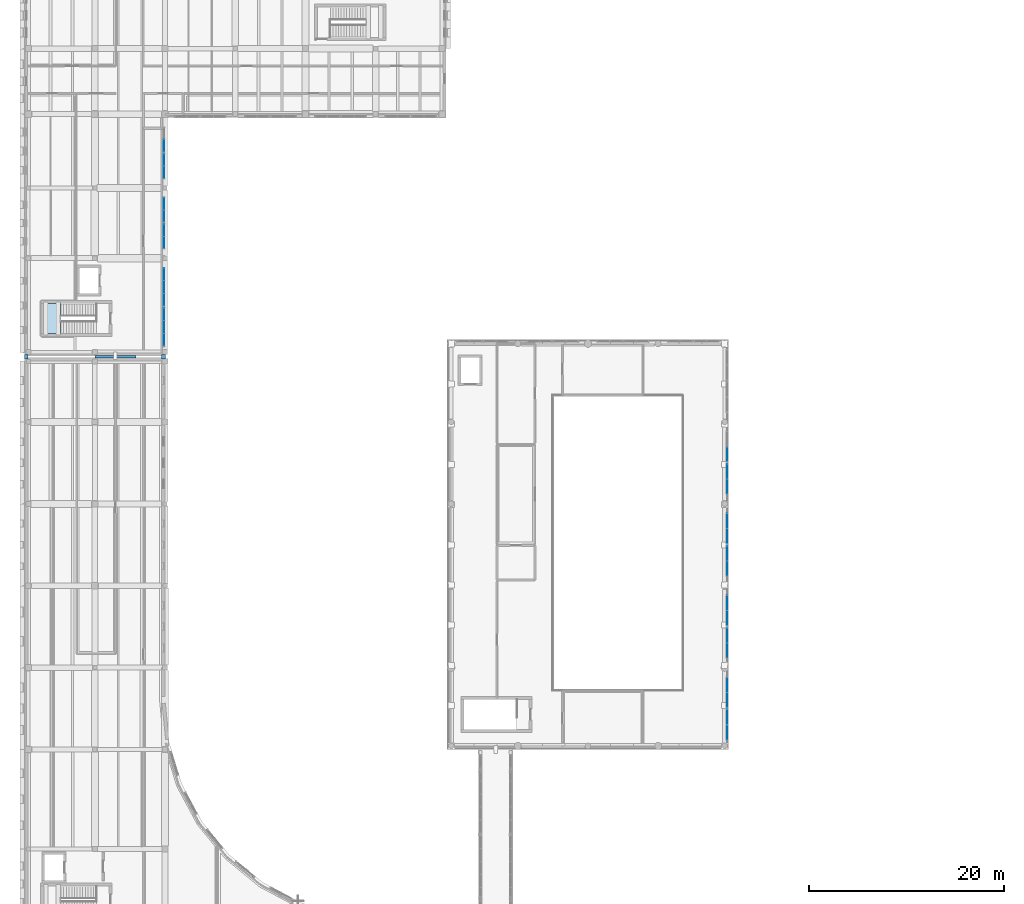
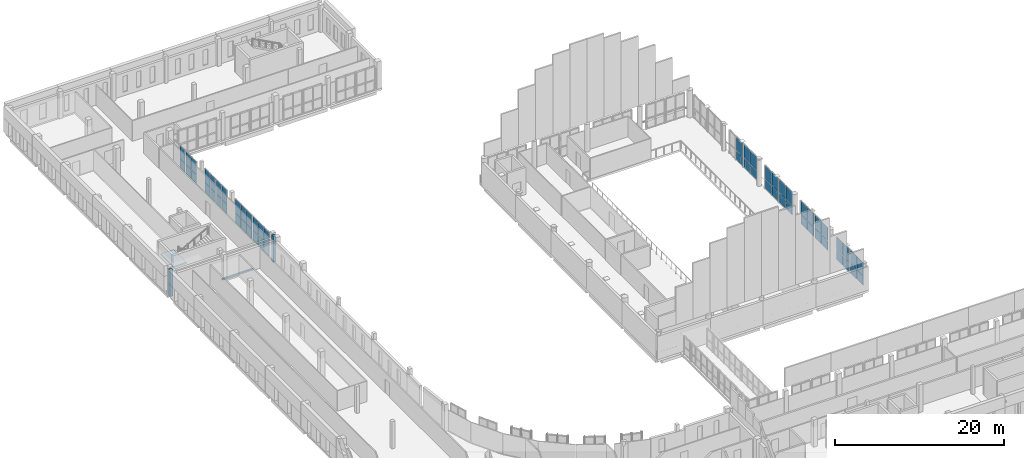
# One storey, part 41 of 76: 58 plates, 2 slabs, 15 elements without a shape of their own.
"""IFC4 building model written with IfcOpenShell, lengths in metres."""

from ifc_helpers import new_model, si_unit, direction, frame, origin, origin_2d, place, context, subcontext, project, spatial, polyline, rectangle, outline, extrude, material, layer, layer_set, type_object, element, aggregate, save


model = new_model("IFC4")

# Units and contexts
model_context = context("Model", 3, precision=1e-05, world=origin(), true_north=direction((0.0, 1.0)))
body_context = subcontext(model_context, "Body", "Model", "MODEL_VIEW")
ifc_project = project(units=[si_unit("LENGTHUNIT", "METRE"), si_unit("AREAUNIT", "SQUARE_METRE"), si_unit("VOLUMEUNIT", "CUBIC_METRE"), si_unit("PLANEANGLEUNIT", "RADIAN"), si_unit("MASSUNIT", "GRAM", prefix="KILO")], contexts=[model_context])

# Site, building, storey
site_placement = place(None, origin())
site = spatial("IfcSite", under=ifc_project, at=site_placement, CompositionType="ELEMENT")
building_placement = place(site_placement, origin())
building = spatial("IfcBuilding", under=site, at=building_placement, Name="Vardoun Plaza Health Centre", CompositionType="ELEMENT")
storey_placement = place(building_placement, frame((0.0, 0.0, 4.5)))
storey = spatial("IfcBuildingStorey", under=building, at=storey_placement, Name="L01", CompositionType="ELEMENT", Elevation=4.5)

# Curtain wall, plates
ifc_material_1 = material(Name="Aluminium Alloy EN AW-6063-T6 and Low-E Glass", Category="aluminium")
ifc_layer_1 = layer(ifc_material_1, 0.159912109375)
ifc_layer_set_1 = layer_set([ifc_layer_1], Name="Aluminium Alloy EN AW-6063-T6 and Low-E Glass")
curtain_wall_type_1 = type_object("IfcCurtainWallType", Name="CW-02", PredefinedType="USERDEFINED", material=ifc_layer_set_1)
curtain_wall_1_placement = place(storey_placement, origin())
curtain_wall_1 = element("IfcCurtainWall", 1, at=curtain_wall_1_placement, inside=storey, type_object=curtain_wall_type_1, Name="Curtain Wall CW-V3-067", ObjectType="COURTYARD_CURTAIN_WALL", PredefinedType="USERDEFINED")
ifc_material_2 = material(Name="Solar-Control Double Low-E Glazing", Category="glass")
ifc_layer_2 = layer(ifc_material_2, 0.028076171875)
ifc_layer_set_2 = layer_set([ifc_layer_2], Name="Solar-Control Double Low-E Glazing")
plate_type_1 = type_object("IfcPlateType", Name="CW-P1", PredefinedType="CURTAIN_PANEL", material=ifc_layer_set_2)
plate_1_placement = place(storey_placement, frame((18.780029296875, 98.235107421875, 0.06005859375), z_axis=(0.0, 0.0, 1.0), x_axis=(0.0, -1.0, 0.0)))
plate_1 = element("IfcPlate", 2, at=plate_1_placement, type_object=plate_type_1, Name="CW-V3-067 panel 2.1", PredefinedType="CURTAIN_PANEL", context=body_context, shape_type="SweptSolid", body=[
    extrude(rectangle(XDim=1.18994140625, YDim=0.028076171875, at=origin_2d()), origin(), (0.0, 0.0, 1.0), 1.283447265625),
])
plate_2_placement = place(storey_placement, frame((18.780029296875, 98.235107421875, 1.4033203125), z_axis=(0.0, 0.0, 1.0), x_axis=(0.0, -1.0, 0.0)))
plate_2 = element("IfcPlate", 3, at=plate_2_placement, type_object=plate_type_1, Name="CW-V3-067 panel 2.2", PredefinedType="CURTAIN_PANEL", context=body_context, shape_type="SweptSolid", body=[
    extrude(rectangle(XDim=1.18994140625, YDim=0.028076171875, at=origin_2d()), origin(), (0.0, 0.0, 1.0), 1.806640625),
])
aggregate(curtain_wall_1, [plate_1, plate_2])

curtain_wall_2_placement = place(storey_placement, origin())
curtain_wall_2 = element("IfcCurtainWall", 4, at=curtain_wall_2_placement, inside=storey, type_object=curtain_wall_type_1, Name="Curtain Wall CW-V3-068", ObjectType="COURTYARD_CURTAIN_WALL", PredefinedType="USERDEFINED")
plate_3_placement = place(storey_placement, frame((18.780029296875, 96.764892578125, 0.06005859375), z_axis=(0.0, 0.0, 1.0), x_axis=(0.0, -1.0, 0.0)))
plate_3 = element("IfcPlate", 5, at=plate_3_placement, type_object=plate_type_1, Name="CW-V3-068 panel 1.1", PredefinedType="CURTAIN_PANEL", context=body_context, shape_type="SweptSolid", body=[
    extrude(rectangle(XDim=1.18994140625, YDim=0.028076171875, at=origin_2d()), origin(), (0.0, 0.0, 1.0), 1.283447265625),
])
plate_4_placement = place(storey_placement, frame((18.780029296875, 96.764892578125, 1.4033203125), z_axis=(0.0, 0.0, 1.0), x_axis=(0.0, -1.0, 0.0)))
plate_4 = element("IfcPlate", 6, at=plate_4_placement, type_object=plate_type_1, Name="CW-V3-068 panel 1.2", PredefinedType="CURTAIN_PANEL", context=body_context, shape_type="SweptSolid", body=[
    extrude(rectangle(XDim=1.18994140625, YDim=0.028076171875, at=origin_2d()), origin(), (0.0, 0.0, 1.0), 1.806640625),
])
plate_5_placement = place(storey_placement, frame((18.780029296875, 95.514892578125, 0.06005859375), z_axis=(0.0, 0.0, 1.0), x_axis=(0.0, -1.0, 0.0)))
plate_5 = element("IfcPlate", 7, at=plate_5_placement, type_object=plate_type_1, Name="CW-V3-068 panel 2.1", PredefinedType="CURTAIN_PANEL", context=body_context, shape_type="SweptSolid", body=[
    extrude(rectangle(XDim=1.18994140625, YDim=0.028076171875, at=origin_2d()), origin(), (0.0, 0.0, 1.0), 1.283447265625),
])
plate_6_placement = place(storey_placement, frame((18.780029296875, 95.514892578125, 1.4033203125), z_axis=(0.0, 0.0, 1.0), x_axis=(0.0, -1.0, 0.0)))
plate_6 = element("IfcPlate", 8, at=plate_6_placement, type_object=plate_type_1, Name="CW-V3-068 panel 2.2", PredefinedType="CURTAIN_PANEL", context=body_context, shape_type="SweptSolid", body=[
    extrude(rectangle(XDim=1.18994140625, YDim=0.028076171875, at=origin_2d()), origin(), (0.0, 0.0, 1.0), 1.806640625),
])
aggregate(curtain_wall_2, [plate_3, plate_4, plate_5, plate_6])

curtain_wall_3_placement = place(storey_placement, origin())
curtain_wall_3 = element("IfcCurtainWall", 9, at=curtain_wall_3_placement, inside=storey, type_object=curtain_wall_type_1, Name="Curtain Wall CW-V3-069", ObjectType="COURTYARD_CURTAIN_WALL", PredefinedType="USERDEFINED")
plate_7_placement = place(storey_placement, frame((18.780029296875, 92.284912109375, 0.06005859375), z_axis=(0.0, 0.0, 1.0), x_axis=(0.0, -1.0, 0.0)))
plate_7 = element("IfcPlate", 10, at=plate_7_placement, type_object=plate_type_1, Name="CW-V3-069 panel 1.1", PredefinedType="CURTAIN_PANEL", context=body_context, shape_type="SweptSolid", body=[
    extrude(rectangle(XDim=1.18994140625, YDim=0.028076171875, at=origin_2d()), origin(), (0.0, 0.0, 1.0), 1.396728515625),
])
plate_8_placement = place(storey_placement, frame((18.780029296875, 92.284912109375, 1.5166015625), z_axis=(0.0, 0.0, 1.0), x_axis=(0.0, -1.0, 0.0)))
plate_8 = element("IfcPlate", 11, at=plate_8_placement, type_object=plate_type_1, Name="CW-V3-069 panel 1.2", PredefinedType="CURTAIN_PANEL", context=body_context, shape_type="SweptSolid", body=[
    extrude(rectangle(XDim=1.18994140625, YDim=0.028076171875, at=origin_2d()), origin(), (0.0, 0.0, 1.0), 1.963134765625),
])
plate_9_placement = place(storey_placement, frame((18.780029296875, 91.034912109375, 0.06005859375), z_axis=(0.0, 0.0, 1.0), x_axis=(0.0, -1.0, 0.0)))
plate_9 = element("IfcPlate", 12, at=plate_9_placement, type_object=plate_type_1, Name="CW-V3-069 panel 2.1", PredefinedType="CURTAIN_PANEL", context=body_context, shape_type="SweptSolid", body=[
    extrude(rectangle(XDim=1.18994140625, YDim=0.028076171875, at=origin_2d()), origin(), (0.0, 0.0, 1.0), 1.396728515625),
])
plate_10_placement = place(storey_placement, frame((18.780029296875, 91.034912109375, 1.5166015625), z_axis=(0.0, 0.0, 1.0), x_axis=(0.0, -1.0, 0.0)))
plate_10 = element("IfcPlate", 13, at=plate_10_placement, type_object=plate_type_1, Name="CW-V3-069 panel 2.2", PredefinedType="CURTAIN_PANEL", context=body_context, shape_type="SweptSolid", body=[
    extrude(rectangle(XDim=1.18994140625, YDim=0.028076171875, at=origin_2d()), origin(), (0.0, 0.0, 1.0), 1.963134765625),
])
aggregate(curtain_wall_3, [plate_7, plate_8, plate_9, plate_10])

curtain_wall_4_placement = place(storey_placement, origin())
curtain_wall_4 = element("IfcCurtainWall", 14, at=curtain_wall_4_placement, inside=storey, type_object=curtain_wall_type_1, Name="Curtain Wall CW-V3-070", ObjectType="COURTYARD_CURTAIN_WALL", PredefinedType="USERDEFINED")
plate_11_placement = place(storey_placement, frame((18.780029296875, 89.56494140625, 0.06005859375), z_axis=(0.0, 0.0, 1.0), x_axis=(0.0, -1.0, 0.0)))
plate_11 = element("IfcPlate", 15, at=plate_11_placement, type_object=plate_type_1, Name="CW-V3-070 panel 1.1", PredefinedType="CURTAIN_PANEL", context=body_context, shape_type="SweptSolid", body=[
    extrude(rectangle(XDim=1.18994140625, YDim=0.028076171875, at=origin_2d()), origin(), (0.0, 0.0, 1.0), 1.396728515625),
])
plate_12_placement = place(storey_placement, frame((18.780029296875, 89.56494140625, 1.5166015625), z_axis=(0.0, 0.0, 1.0), x_axis=(0.0, -1.0, 0.0)))
plate_12 = element("IfcPlate", 16, at=plate_12_placement, type_object=plate_type_1, Name="CW-V3-070 panel 1.2", PredefinedType="CURTAIN_PANEL", context=body_context, shape_type="SweptSolid", body=[
    extrude(rectangle(XDim=1.18994140625, YDim=0.028076171875, at=origin_2d()), origin(), (0.0, 0.0, 1.0), 1.963134765625),
])
plate_13_placement = place(storey_placement, frame((18.780029296875, 88.31494140625, 0.06005859375), z_axis=(0.0, 0.0, 1.0), x_axis=(0.0, -1.0, 0.0)))
plate_13 = element("IfcPlate", 17, at=plate_13_placement, type_object=plate_type_1, Name="CW-V3-070 panel 2.1", PredefinedType="CURTAIN_PANEL", context=body_context, shape_type="SweptSolid", body=[
    extrude(rectangle(XDim=1.18994140625, YDim=0.028076171875, at=origin_2d()), origin(), (0.0, 0.0, 1.0), 1.396728515625),
])
plate_14_placement = place(storey_placement, frame((18.780029296875, 88.31494140625, 1.5166015625), z_axis=(0.0, 0.0, 1.0), x_axis=(0.0, -1.0, 0.0)))
plate_14 = element("IfcPlate", 18, at=plate_14_placement, type_object=plate_type_1, Name="CW-V3-070 panel 2.2", PredefinedType="CURTAIN_PANEL", context=body_context, shape_type="SweptSolid", body=[
    extrude(rectangle(XDim=1.18994140625, YDim=0.028076171875, at=origin_2d()), origin(), (0.0, 0.0, 1.0), 1.963134765625),
])
aggregate(curtain_wall_4, [plate_11, plate_12, plate_13, plate_14])

curtain_wall_5_placement = place(storey_placement, origin())
curtain_wall_5 = element("IfcCurtainWall", 19, at=curtain_wall_5_placement, inside=storey, type_object=curtain_wall_type_1, Name="Curtain Wall CW-V3-071", ObjectType="COURTYARD_CURTAIN_WALL", PredefinedType="USERDEFINED")
plate_15_placement = place(storey_placement, frame((18.780029296875, 85.063232421875, 0.06005859375), z_axis=(0.0, 0.0, 1.0), x_axis=(0.0, -1.0, 0.0)))
plate_15 = element("IfcPlate", 20, at=plate_15_placement, type_object=plate_type_1, Name="CW-V3-071 panel 1.1", PredefinedType="CURTAIN_PANEL", context=body_context, shape_type="SweptSolid", body=[
    extrude(rectangle(XDim=1.2333984375, YDim=0.028076171875, at=origin_2d()), origin(), (0.0, 0.0, 1.0), 1.388427734375),
])
plate_16_placement = place(storey_placement, frame((18.780029296875, 85.063232421875, 1.50830078125), z_axis=(0.0, 0.0, 1.0), x_axis=(0.0, -1.0, 0.0)))
plate_16 = element("IfcPlate", 21, at=plate_16_placement, type_object=plate_type_1, Name="CW-V3-071 panel 1.2", PredefinedType="CURTAIN_PANEL", context=body_context, shape_type="SweptSolid", body=[
    extrude(rectangle(XDim=1.2333984375, YDim=0.028076171875, at=origin_2d()), origin(), (0.0, 0.0, 1.0), 1.95166015625),
])
plate_17_placement = place(storey_placement, frame((18.780029296875, 83.7548828125, 0.06005859375), z_axis=(0.0, 0.0, 1.0), x_axis=(0.0, -1.0, 0.0)))
plate_17 = element("IfcPlate", 22, at=plate_17_placement, type_object=plate_type_1, Name="CW-V3-071 panel 2.1", PredefinedType="CURTAIN_PANEL", context=body_context, shape_type="SweptSolid", body=[
    extrude(rectangle(XDim=1.263427734375, YDim=0.028076171875, at=origin_2d()), origin(), (0.0, 0.0, 1.0), 1.388427734375),
])
plate_18_placement = place(storey_placement, frame((18.780029296875, 83.7548828125, 1.50830078125), z_axis=(0.0, 0.0, 1.0), x_axis=(0.0, -1.0, 0.0)))
plate_18 = element("IfcPlate", 23, at=plate_18_placement, type_object=plate_type_1, Name="CW-V3-071 panel 2.2", PredefinedType="CURTAIN_PANEL", context=body_context, shape_type="SweptSolid", body=[
    extrude(rectangle(XDim=1.263427734375, YDim=0.028076171875, at=origin_2d()), origin(), (0.0, 0.0, 1.0), 1.95166015625),
])
plate_19_placement = place(storey_placement, frame((18.780029296875, 82.44677734375, 0.06005859375), z_axis=(0.0, 0.0, 1.0), x_axis=(0.0, -1.0, 0.0)))
plate_19 = element("IfcPlate", 24, at=plate_19_placement, type_object=plate_type_1, Name="CW-V3-071 panel 3.1", PredefinedType="CURTAIN_PANEL", context=body_context, shape_type="SweptSolid", body=[
    extrude(rectangle(XDim=1.2333984375, YDim=0.028076171875, at=origin_2d()), origin(), (0.0, 0.0, 1.0), 1.388427734375),
])
plate_20_placement = place(storey_placement, frame((18.780029296875, 82.44677734375, 1.50830078125), z_axis=(0.0, 0.0, 1.0), x_axis=(0.0, -1.0, 0.0)))
plate_20 = element("IfcPlate", 25, at=plate_20_placement, type_object=plate_type_1, Name="CW-V3-071 panel 3.2", PredefinedType="CURTAIN_PANEL", context=body_context, shape_type="SweptSolid", body=[
    extrude(rectangle(XDim=1.2333984375, YDim=0.028076171875, at=origin_2d()), origin(), (0.0, 0.0, 1.0), 1.95166015625),
])
aggregate(curtain_wall_5, [plate_15, plate_16, plate_17, plate_18, plate_19, plate_20])

curtain_wall_6_placement = place(storey_placement, origin())
curtain_wall_6 = element("IfcCurtainWall", 26, at=curtain_wall_6_placement, inside=storey, type_object=curtain_wall_type_1, Name="Curtain Wall CW-V3-072", ObjectType="COURTYARD_CURTAIN_WALL", PredefinedType="USERDEFINED")
plate_21_placement = place(storey_placement, frame((18.780029296875, 80.933349609375, 0.06005859375), z_axis=(0.0, 0.0, 1.0), x_axis=(0.0, -1.0, 0.0)))
plate_21 = element("IfcPlate", 27, at=plate_21_placement, type_object=plate_type_1, Name="CW-V3-072 panel 1.1", PredefinedType="CURTAIN_PANEL", context=body_context, shape_type="SweptSolid", body=[
    extrude(rectangle(XDim=1.2333984375, YDim=0.028076171875, at=origin_2d()), origin(), (0.0, 0.0, 1.0), 1.388427734375),
])
plate_22_placement = place(storey_placement, frame((18.780029296875, 80.933349609375, 1.50830078125), z_axis=(0.0, 0.0, 1.0), x_axis=(0.0, -1.0, 0.0)))
plate_22 = element("IfcPlate", 28, at=plate_22_placement, type_object=plate_type_1, Name="CW-V3-072 panel 1.2", PredefinedType="CURTAIN_PANEL", context=body_context, shape_type="SweptSolid", body=[
    extrude(rectangle(XDim=1.2333984375, YDim=0.028076171875, at=origin_2d()), origin(), (0.0, 0.0, 1.0), 1.95166015625),
])
plate_23_placement = place(storey_placement, frame((18.780029296875, 79.625, 0.06005859375), z_axis=(0.0, 0.0, 1.0), x_axis=(0.0, -1.0, 0.0)))
plate_23 = element("IfcPlate", 29, at=plate_23_placement, type_object=plate_type_1, Name="CW-V3-072 panel 2.1", PredefinedType="CURTAIN_PANEL", context=body_context, shape_type="SweptSolid", body=[
    extrude(rectangle(XDim=1.263427734375, YDim=0.028076171875, at=origin_2d()), origin(), (0.0, 0.0, 1.0), 1.388427734375),
])
plate_24_placement = place(storey_placement, frame((18.780029296875, 79.625, 1.50830078125), z_axis=(0.0, 0.0, 1.0), x_axis=(0.0, -1.0, 0.0)))
plate_24 = element("IfcPlate", 30, at=plate_24_placement, type_object=plate_type_1, Name="CW-V3-072 panel 2.2", PredefinedType="CURTAIN_PANEL", context=body_context, shape_type="SweptSolid", body=[
    extrude(rectangle(XDim=1.263427734375, YDim=0.028076171875, at=origin_2d()), origin(), (0.0, 0.0, 1.0), 1.95166015625),
])
plate_25_placement = place(storey_placement, frame((18.780029296875, 78.316650390625, 0.06005859375), z_axis=(0.0, 0.0, 1.0), x_axis=(0.0, -1.0, 0.0)))
plate_25 = element("IfcPlate", 31, at=plate_25_placement, type_object=plate_type_1, Name="CW-V3-072 panel 3.1", PredefinedType="CURTAIN_PANEL", context=body_context, shape_type="SweptSolid", body=[
    extrude(rectangle(XDim=1.2333984375, YDim=0.028076171875, at=origin_2d()), origin(), (0.0, 0.0, 1.0), 1.388427734375),
])
plate_26_placement = place(storey_placement, frame((18.780029296875, 78.316650390625, 1.50830078125), z_axis=(0.0, 0.0, 1.0), x_axis=(0.0, -1.0, 0.0)))
plate_26 = element("IfcPlate", 32, at=plate_26_placement, type_object=plate_type_1, Name="CW-V3-072 panel 3.2", PredefinedType="CURTAIN_PANEL", context=body_context, shape_type="SweptSolid", body=[
    extrude(rectangle(XDim=1.2333984375, YDim=0.028076171875, at=origin_2d()), origin(), (0.0, 0.0, 1.0), 1.95166015625),
])
aggregate(curtain_wall_6, [plate_21, plate_22, plate_23, plate_24, plate_25, plate_26])

ifc_material_3 = material(Name="Aluminium Alloy EN AW-6063-T6 and Low-E Glass", Category="aluminium")
ifc_layer_3 = layer(ifc_material_3, 0.179931640625)
ifc_layer_set_3 = layer_set([ifc_layer_3], Name="Aluminium Alloy EN AW-6063-T6 and Low-E Glass")
curtain_wall_type_2 = type_object("IfcCurtainWallType", Name="CW-01", PredefinedType="USERDEFINED", material=ifc_layer_set_3)
curtain_wall_7_placement = place(storey_placement, origin())
curtain_wall_7 = element("IfcCurtainWall", 33, at=curtain_wall_7_placement, inside=storey, type_object=curtain_wall_type_2, Name="Curtain Wall CW-V1-025", ObjectType="CONCOURSE_CURTAIN_WALL", PredefinedType="USERDEFINED")
ifc_material_4 = material(Name="Acoustic Laminated Double Low-E Glazing", Category="glass")
ifc_layer_4 = layer(ifc_material_4, 0.031982421875)
ifc_layer_set_4 = layer_set([ifc_layer_4], Name="Acoustic Laminated Double Low-E Glazing")
plate_type_2 = type_object("IfcPlateType", Name="CW-P2", PredefinedType="CURTAIN_PANEL", material=ifc_layer_set_4)
plate_27_placement = place(storey_placement, frame((76.56005859375, 66.586181640625, 0.06494140625), z_axis=(0.0, 0.0, 1.0), x_axis=(0.0, -1.0, 0.0)))
plate_27 = element("IfcPlate", 34, at=plate_27_placement, type_object=plate_type_2, Name="CW-V1-025 panel 2.1", PredefinedType="CURTAIN_PANEL", context=body_context, shape_type="SweptSolid", body=[
    extrude(rectangle(XDim=1.482421875, YDim=0.031982421875, at=origin_2d()), origin(), (0.0, 0.0, 1.0), 1.334716796875),
])
plate_28_placement = place(storey_placement, frame((76.56005859375, 66.586181640625, 1.464599609375), z_axis=(0.0, 0.0, 1.0), x_axis=(0.0, -1.0, 0.0)))
plate_28 = element("IfcPlate", 35, at=plate_28_placement, type_object=plate_type_2, Name="CW-V1-025 panel 2.2", PredefinedType="CURTAIN_PANEL", context=body_context, shape_type="SweptSolid", body=[
    extrude(rectangle(XDim=1.482421875, YDim=0.031982421875, at=origin_2d()), origin(), (0.0, 0.0, 1.0), 1.88037109375),
])
aggregate(curtain_wall_7, [plate_27, plate_28])

curtain_wall_8_placement = place(storey_placement, origin())
curtain_wall_8 = element("IfcCurtainWall", 36, at=curtain_wall_8_placement, inside=storey, type_object=curtain_wall_type_2, Name="Curtain Wall CW-V1-026", ObjectType="CONCOURSE_CURTAIN_WALL", PredefinedType="USERDEFINED")
plate_29_placement = place(storey_placement, frame((76.56005859375, 64.813720703125, 0.06494140625), z_axis=(0.0, 0.0, 1.0), x_axis=(0.0, -1.0, 0.0)))
plate_29 = element("IfcPlate", 37, at=plate_29_placement, type_object=plate_type_2, Name="CW-V1-026 panel 1.1", PredefinedType="CURTAIN_PANEL", context=body_context, shape_type="SweptSolid", body=[
    extrude(rectangle(XDim=1.482421875, YDim=0.031982421875, at=origin_2d()), origin(), (0.0, 0.0, 1.0), 1.334716796875),
])
plate_30_placement = place(storey_placement, frame((76.56005859375, 64.813720703125, 1.464599609375), z_axis=(0.0, 0.0, 1.0), x_axis=(0.0, -1.0, 0.0)))
plate_30 = element("IfcPlate", 38, at=plate_30_placement, type_object=plate_type_2, Name="CW-V1-026 panel 1.2", PredefinedType="CURTAIN_PANEL", context=body_context, shape_type="SweptSolid", body=[
    extrude(rectangle(XDim=1.482421875, YDim=0.031982421875, at=origin_2d()), origin(), (0.0, 0.0, 1.0), 1.88037109375),
])
plate_31_placement = place(storey_placement, frame((76.56005859375, 63.266357421875, 0.06494140625), z_axis=(0.0, 0.0, 1.0), x_axis=(0.0, -1.0, 0.0)))
plate_31 = element("IfcPlate", 39, at=plate_31_placement, type_object=plate_type_2, Name="CW-V1-026 panel 2.1", PredefinedType="CURTAIN_PANEL", context=body_context, shape_type="SweptSolid", body=[
    extrude(rectangle(XDim=1.482421875, YDim=0.031982421875, at=origin_2d()), origin(), (0.0, 0.0, 1.0), 1.334716796875),
])
plate_32_placement = place(storey_placement, frame((76.56005859375, 63.266357421875, 1.464599609375), z_axis=(0.0, 0.0, 1.0), x_axis=(0.0, -1.0, 0.0)))
plate_32 = element("IfcPlate", 40, at=plate_32_placement, type_object=plate_type_2, Name="CW-V1-026 panel 2.2", PredefinedType="CURTAIN_PANEL", context=body_context, shape_type="SweptSolid", body=[
    extrude(rectangle(XDim=1.482421875, YDim=0.031982421875, at=origin_2d()), origin(), (0.0, 0.0, 1.0), 1.88037109375),
])
aggregate(curtain_wall_8, [plate_29, plate_30, plate_31, plate_32])

curtain_wall_9_placement = place(storey_placement, origin())
curtain_wall_9 = element("IfcCurtainWall", 41, at=curtain_wall_9_placement, inside=storey, type_object=curtain_wall_type_2, Name="Curtain Wall CW-V1-027", ObjectType="CONCOURSE_CURTAIN_WALL", PredefinedType="USERDEFINED")
plate_33_placement = place(storey_placement, frame((76.56005859375, 59.733642578125, 0.06494140625), z_axis=(0.0, 0.0, 1.0), x_axis=(0.0, -1.0, 0.0)))
plate_33 = element("IfcPlate", 42, at=plate_33_placement, type_object=plate_type_2, Name="CW-V1-027 panel 1.1", PredefinedType="CURTAIN_PANEL", context=body_context, shape_type="SweptSolid", body=[
    extrude(rectangle(XDim=1.482421875, YDim=0.031982421875, at=origin_2d()), origin(), (0.0, 0.0, 1.0), 1.334716796875),
])
plate_34_placement = place(storey_placement, frame((76.56005859375, 59.733642578125, 1.464599609375), z_axis=(0.0, 0.0, 1.0), x_axis=(0.0, -1.0, 0.0)))
plate_34 = element("IfcPlate", 43, at=plate_34_placement, type_object=plate_type_2, Name="CW-V1-027 panel 1.2", PredefinedType="CURTAIN_PANEL", context=body_context, shape_type="SweptSolid", body=[
    extrude(rectangle(XDim=1.482421875, YDim=0.031982421875, at=origin_2d()), origin(), (0.0, 0.0, 1.0), 1.88037109375),
])
plate_35_placement = place(storey_placement, frame((76.56005859375, 58.186279296875, 0.06494140625), z_axis=(0.0, 0.0, 1.0), x_axis=(0.0, -1.0, 0.0)))
plate_35 = element("IfcPlate", 44, at=plate_35_placement, type_object=plate_type_2, Name="CW-V1-027 panel 2.1", PredefinedType="CURTAIN_PANEL", context=body_context, shape_type="SweptSolid", body=[
    extrude(rectangle(XDim=1.482421875, YDim=0.031982421875, at=origin_2d()), origin(), (0.0, 0.0, 1.0), 1.334716796875),
])
plate_36_placement = place(storey_placement, frame((76.56005859375, 58.186279296875, 1.464599609375), z_axis=(0.0, 0.0, 1.0), x_axis=(0.0, -1.0, 0.0)))
plate_36 = element("IfcPlate", 45, at=plate_36_placement, type_object=plate_type_2, Name="CW-V1-027 panel 2.2", PredefinedType="CURTAIN_PANEL", context=body_context, shape_type="SweptSolid", body=[
    extrude(rectangle(XDim=1.482421875, YDim=0.031982421875, at=origin_2d()), origin(), (0.0, 0.0, 1.0), 1.88037109375),
])
aggregate(curtain_wall_9, [plate_33, plate_34, plate_35, plate_36])

curtain_wall_10_placement = place(storey_placement, origin())
curtain_wall_10 = element("IfcCurtainWall", 46, at=curtain_wall_10_placement, inside=storey, type_object=curtain_wall_type_2, Name="Curtain Wall CW-V1-028", ObjectType="CONCOURSE_CURTAIN_WALL", PredefinedType="USERDEFINED")
plate_37_placement = place(storey_placement, frame((76.56005859375, 56.413818359375, 0.06494140625), z_axis=(0.0, 0.0, 1.0), x_axis=(0.0, -1.0, 0.0)))
plate_37 = element("IfcPlate", 47, at=plate_37_placement, type_object=plate_type_2, Name="CW-V1-028 panel 1.1", PredefinedType="CURTAIN_PANEL", context=body_context, shape_type="SweptSolid", body=[
    extrude(rectangle(XDim=1.482421875, YDim=0.031982421875, at=origin_2d()), origin(), (0.0, 0.0, 1.0), 1.334716796875),
])
plate_38_placement = place(storey_placement, frame((76.56005859375, 56.413818359375, 1.464599609375), z_axis=(0.0, 0.0, 1.0), x_axis=(0.0, -1.0, 0.0)))
plate_38 = element("IfcPlate", 48, at=plate_38_placement, type_object=plate_type_2, Name="CW-V1-028 panel 1.2", PredefinedType="CURTAIN_PANEL", context=body_context, shape_type="SweptSolid", body=[
    extrude(rectangle(XDim=1.482421875, YDim=0.031982421875, at=origin_2d()), origin(), (0.0, 0.0, 1.0), 1.88037109375),
])
plate_39_placement = place(storey_placement, frame((76.56005859375, 54.8662109375, 0.06494140625), z_axis=(0.0, 0.0, 1.0), x_axis=(0.0, -1.0, 0.0)))
plate_39 = element("IfcPlate", 49, at=plate_39_placement, type_object=plate_type_2, Name="CW-V1-028 panel 2.1", PredefinedType="CURTAIN_PANEL", context=body_context, shape_type="SweptSolid", body=[
    extrude(rectangle(XDim=1.482421875, YDim=0.031982421875, at=origin_2d()), origin(), (0.0, 0.0, 1.0), 1.334716796875),
])
plate_40_placement = place(storey_placement, frame((76.56005859375, 54.8662109375, 1.464599609375), z_axis=(0.0, 0.0, 1.0), x_axis=(0.0, -1.0, 0.0)))
plate_40 = element("IfcPlate", 50, at=plate_40_placement, type_object=plate_type_2, Name="CW-V1-028 panel 2.2", PredefinedType="CURTAIN_PANEL", context=body_context, shape_type="SweptSolid", body=[
    extrude(rectangle(XDim=1.482421875, YDim=0.031982421875, at=origin_2d()), origin(), (0.0, 0.0, 1.0), 1.88037109375),
])
aggregate(curtain_wall_10, [plate_37, plate_38, plate_39, plate_40])

curtain_wall_11_placement = place(storey_placement, origin())
curtain_wall_11 = element("IfcCurtainWall", 51, at=curtain_wall_11_placement, inside=storey, type_object=curtain_wall_type_2, Name="Curtain Wall CW-V1-029", ObjectType="CONCOURSE_CURTAIN_WALL", PredefinedType="USERDEFINED")
plate_41_placement = place(storey_placement, frame((76.56005859375, 51.333740234375, 0.06494140625), z_axis=(0.0, 0.0, 1.0), x_axis=(0.0, -1.0, 0.0)))
plate_41 = element("IfcPlate", 52, at=plate_41_placement, type_object=plate_type_2, Name="CW-V1-029 panel 1.1", PredefinedType="CURTAIN_PANEL", context=body_context, shape_type="SweptSolid", body=[
    extrude(rectangle(XDim=1.482421875, YDim=0.031982421875, at=origin_2d()), origin(), (0.0, 0.0, 1.0), 1.334716796875),
])
plate_42_placement = place(storey_placement, frame((76.56005859375, 51.333740234375, 1.464599609375), z_axis=(0.0, 0.0, 1.0), x_axis=(0.0, -1.0, 0.0)))
plate_42 = element("IfcPlate", 53, at=plate_42_placement, type_object=plate_type_2, Name="CW-V1-029 panel 1.2", PredefinedType="CURTAIN_PANEL", context=body_context, shape_type="SweptSolid", body=[
    extrude(rectangle(XDim=1.482421875, YDim=0.031982421875, at=origin_2d()), origin(), (0.0, 0.0, 1.0), 1.88037109375),
])
plate_43_placement = place(storey_placement, frame((76.56005859375, 49.7861328125, 0.06494140625), z_axis=(0.0, 0.0, 1.0), x_axis=(0.0, -1.0, 0.0)))
plate_43 = element("IfcPlate", 54, at=plate_43_placement, type_object=plate_type_2, Name="CW-V1-029 panel 2.1", PredefinedType="CURTAIN_PANEL", context=body_context, shape_type="SweptSolid", body=[
    extrude(rectangle(XDim=1.482421875, YDim=0.031982421875, at=origin_2d()), origin(), (0.0, 0.0, 1.0), 1.334716796875),
])
plate_44_placement = place(storey_placement, frame((76.56005859375, 49.7861328125, 1.464599609375), z_axis=(0.0, 0.0, 1.0), x_axis=(0.0, -1.0, 0.0)))
plate_44 = element("IfcPlate", 55, at=plate_44_placement, type_object=plate_type_2, Name="CW-V1-029 panel 2.2", PredefinedType="CURTAIN_PANEL", context=body_context, shape_type="SweptSolid", body=[
    extrude(rectangle(XDim=1.482421875, YDim=0.031982421875, at=origin_2d()), origin(), (0.0, 0.0, 1.0), 1.88037109375),
])
aggregate(curtain_wall_11, [plate_41, plate_42, plate_43, plate_44])

curtain_wall_12_placement = place(storey_placement, origin())
curtain_wall_12 = element("IfcCurtainWall", 56, at=curtain_wall_12_placement, inside=storey, type_object=curtain_wall_type_2, Name="Curtain Wall CW-V1-030", ObjectType="CONCOURSE_CURTAIN_WALL", PredefinedType="USERDEFINED")
plate_45_placement = place(storey_placement, frame((76.56005859375, 48.013671875, 0.06494140625), z_axis=(0.0, 0.0, 1.0), x_axis=(0.0, -1.0, 0.0)))
plate_45 = element("IfcPlate", 57, at=plate_45_placement, type_object=plate_type_2, Name="CW-V1-030 panel 1.1", PredefinedType="CURTAIN_PANEL", context=body_context, shape_type="SweptSolid", body=[
    extrude(rectangle(XDim=1.482421875, YDim=0.031982421875, at=origin_2d()), origin(), (0.0, 0.0, 1.0), 1.334716796875),
])
plate_46_placement = place(storey_placement, frame((76.56005859375, 48.013671875, 1.464599609375), z_axis=(0.0, 0.0, 1.0), x_axis=(0.0, -1.0, 0.0)))
plate_46 = element("IfcPlate", 58, at=plate_46_placement, type_object=plate_type_2, Name="CW-V1-030 panel 1.2", PredefinedType="CURTAIN_PANEL", context=body_context, shape_type="SweptSolid", body=[
    extrude(rectangle(XDim=1.482421875, YDim=0.031982421875, at=origin_2d()), origin(), (0.0, 0.0, 1.0), 1.88037109375),
])
plate_47_placement = place(storey_placement, frame((76.56005859375, 46.46630859375, 0.06494140625), z_axis=(0.0, 0.0, 1.0), x_axis=(0.0, -1.0, 0.0)))
plate_47 = element("IfcPlate", 59, at=plate_47_placement, type_object=plate_type_2, Name="CW-V1-030 panel 2.1", PredefinedType="CURTAIN_PANEL", context=body_context, shape_type="SweptSolid", body=[
    extrude(rectangle(XDim=1.482421875, YDim=0.031982421875, at=origin_2d()), origin(), (0.0, 0.0, 1.0), 1.334716796875),
])
plate_48_placement = place(storey_placement, frame((76.56005859375, 46.46630859375, 1.464599609375), z_axis=(0.0, 0.0, 1.0), x_axis=(0.0, -1.0, 0.0)))
plate_48 = element("IfcPlate", 60, at=plate_48_placement, type_object=plate_type_2, Name="CW-V1-030 panel 2.2", PredefinedType="CURTAIN_PANEL", context=body_context, shape_type="SweptSolid", body=[
    extrude(rectangle(XDim=1.482421875, YDim=0.031982421875, at=origin_2d()), origin(), (0.0, 0.0, 1.0), 1.88037109375),
])
aggregate(curtain_wall_12, [plate_45, plate_46, plate_47, plate_48])

curtain_wall_13_placement = place(storey_placement, origin())
curtain_wall_13 = element("IfcCurtainWall", 61, at=curtain_wall_13_placement, inside=storey, type_object=curtain_wall_type_2, Name="Curtain Wall CW-V1-031", ObjectType="CONCOURSE_CURTAIN_WALL", PredefinedType="USERDEFINED")
plate_49_placement = place(storey_placement, frame((76.56005859375, 42.933837890625, 0.06494140625), z_axis=(0.0, 0.0, 1.0), x_axis=(0.0, -1.0, 0.0)))
plate_49 = element("IfcPlate", 62, at=plate_49_placement, type_object=plate_type_2, Name="CW-V1-031 panel 1.1", PredefinedType="CURTAIN_PANEL", context=body_context, shape_type="SweptSolid", body=[
    extrude(rectangle(XDim=1.482421875, YDim=0.031982421875, at=origin_2d()), origin(), (0.0, 0.0, 1.0), 1.334716796875),
])
plate_50_placement = place(storey_placement, frame((76.56005859375, 42.933837890625, 1.464599609375), z_axis=(0.0, 0.0, 1.0), x_axis=(0.0, -1.0, 0.0)))
plate_50 = element("IfcPlate", 63, at=plate_50_placement, type_object=plate_type_2, Name="CW-V1-031 panel 1.2", PredefinedType="CURTAIN_PANEL", context=body_context, shape_type="SweptSolid", body=[
    extrude(rectangle(XDim=1.482421875, YDim=0.031982421875, at=origin_2d()), origin(), (0.0, 0.0, 1.0), 1.88037109375),
])
plate_51_placement = place(storey_placement, frame((76.56005859375, 41.38623046875, 0.06494140625), z_axis=(0.0, 0.0, 1.0), x_axis=(0.0, -1.0, 0.0)))
plate_51 = element("IfcPlate", 64, at=plate_51_placement, type_object=plate_type_2, Name="CW-V1-031 panel 2.1", PredefinedType="CURTAIN_PANEL", context=body_context, shape_type="SweptSolid", body=[
    extrude(rectangle(XDim=1.482421875, YDim=0.031982421875, at=origin_2d()), origin(), (0.0, 0.0, 1.0), 1.334716796875),
])
plate_52_placement = place(storey_placement, frame((76.56005859375, 41.38623046875, 1.464599609375), z_axis=(0.0, 0.0, 1.0), x_axis=(0.0, -1.0, 0.0)))
plate_52 = element("IfcPlate", 65, at=plate_52_placement, type_object=plate_type_2, Name="CW-V1-031 panel 2.2", PredefinedType="CURTAIN_PANEL", context=body_context, shape_type="SweptSolid", body=[
    extrude(rectangle(XDim=1.482421875, YDim=0.031982421875, at=origin_2d()), origin(), (0.0, 0.0, 1.0), 1.88037109375),
])
aggregate(curtain_wall_13, [plate_49, plate_50, plate_51, plate_52])

curtain_wall_14_placement = place(storey_placement, origin())
curtain_wall_14 = element("IfcCurtainWall", 66, at=curtain_wall_14_placement, inside=storey, type_object=curtain_wall_type_2, Name="Curtain Wall CW-V1-032", ObjectType="CONCOURSE_CURTAIN_WALL", PredefinedType="USERDEFINED")
plate_53_placement = place(storey_placement, frame((76.56005859375, 39.61376953125, 0.06494140625), z_axis=(0.0, 0.0, 1.0), x_axis=(0.0, -1.0, 0.0)))
plate_53 = element("IfcPlate", 67, at=plate_53_placement, type_object=plate_type_2, Name="CW-V1-032 panel 1.1", PredefinedType="CURTAIN_PANEL", context=body_context, shape_type="SweptSolid", body=[
    extrude(rectangle(XDim=1.482421875, YDim=0.031982421875, at=origin_2d()), origin(), (0.0, 0.0, 1.0), 1.334716796875),
])
plate_54_placement = place(storey_placement, frame((76.56005859375, 39.61376953125, 1.464599609375), z_axis=(0.0, 0.0, 1.0), x_axis=(0.0, -1.0, 0.0)))
plate_54 = element("IfcPlate", 68, at=plate_54_placement, type_object=plate_type_2, Name="CW-V1-032 panel 1.2", PredefinedType="CURTAIN_PANEL", context=body_context, shape_type="SweptSolid", body=[
    extrude(rectangle(XDim=1.482421875, YDim=0.031982421875, at=origin_2d()), origin(), (0.0, 0.0, 1.0), 1.88037109375),
])
plate_55_placement = place(storey_placement, frame((76.56005859375, 38.066162109375, 0.06494140625), z_axis=(0.0, 0.0, 1.0), x_axis=(0.0, -1.0, 0.0)))
plate_55 = element("IfcPlate", 69, at=plate_55_placement, type_object=plate_type_2, Name="CW-V1-032 panel 2.1", PredefinedType="CURTAIN_PANEL", context=body_context, shape_type="SweptSolid", body=[
    extrude(rectangle(XDim=1.482421875, YDim=0.031982421875, at=origin_2d()), origin(), (0.0, 0.0, 1.0), 1.334716796875),
])
plate_56_placement = place(storey_placement, frame((76.56005859375, 38.066162109375, 1.464599609375), z_axis=(0.0, 0.0, 1.0), x_axis=(0.0, -1.0, 0.0)))
plate_56 = element("IfcPlate", 70, at=plate_56_placement, type_object=plate_type_2, Name="CW-V1-032 panel 2.2", PredefinedType="CURTAIN_PANEL", context=body_context, shape_type="SweptSolid", body=[
    extrude(rectangle(XDim=1.482421875, YDim=0.031982421875, at=origin_2d()), origin(), (0.0, 0.0, 1.0), 1.88037109375),
])
aggregate(curtain_wall_14, [plate_53, plate_54, plate_55, plate_56])

# Stair, slab
ifc_material_5 = material(Name="Concrete C35/45", Category="concrete")
stair_type = type_object("IfcStairType", Name="ST-01", PredefinedType="HALF_TURN_STAIR", material=ifc_material_5)
stair_placement = place(storey_placement, origin())
stair = element("IfcStair", 71, at=stair_placement, inside=storey, type_object=stair_type, Name="Core C3 L01 Exit Stair ST-C3-L01", PredefinedType="HALF_TURN_STAIR")
ifc_material_6 = material(Name="Concrete C35/45", Category="concrete")
ifc_layer_5 = layer(ifc_material_6, 0.199951171875)
ifc_layer_set_5 = layer_set([ifc_layer_5], Name="Concrete C35/45")
slab_type_1 = type_object("IfcSlabType", Name="SL-LD", PredefinedType="LANDING", material=ifc_layer_set_5)
slab_1_placement = place(storey_placement, frame((0.0, 0.0, 1.89990234375)))
slab_1 = element("IfcSlab", 72, at=slab_1_placement, type_object=slab_type_1, Name="ST-C3-L01 landing 1", PredefinedType="LANDING", context=body_context, shape_type="SweptSolid", body=[
    extrude(outline(polyline([(6.449951171875, 78.949951171875), (8.210693359375, 78.949951171875), (8.210693359375, 82.050048828125), (6.449951171875, 82.050048828125), (6.449951171875, 78.949951171875)])), origin(), (0.0, 0.0, 1.0), 0.2001953125),
])
aggregate(stair, [slab_1])

# Plates
ifc_material_7 = material(Name="Aluminium Alloy EN AW-6063-T6", Category="aluminium")
ifc_layer_6 = layer(ifc_material_7, 0.050048828125)
ifc_layer_set_6 = layer_set([ifc_layer_6], Name="Aluminium Alloy EN AW-6063-T6")
plate_type_3 = type_object("IfcPlateType", Name="SJ-01", PredefinedType="SHEET", material=ifc_layer_set_6)
for number, where, z_axis, x_axis, name in (
    (73, (4.659912109375, 76.590087890625, 0.0), (0.0, 0.0, 1.0), (1.0, 0.0, 0.0), "Seismic Joint Facade Cover SJ-V23-W-L01"),
    (74, (18.739990234375, 76.590087890625, 0.0), (0.0, 0.0, 1.0), (1.0, 0.0, 0.0), "Seismic Joint Facade Cover SJ-V23-E-L01"),
):
    element("IfcPlate", number, at=place(storey_placement, frame(where, z_axis=z_axis, x_axis=x_axis)), inside=storey, type_object=plate_type_3, Name=name, PredefinedType="SHEET", context=body_context, shape_type="SweptSolid", body=[
        extrude(rectangle(XDim=0.360107421875, YDim=0.419921875, at=origin_2d()), origin(), (0.0, 0.0, 1.0), 3.800048828125),
    ])

# Slab
ifc_material_8 = material(Name="Concrete C35/45", Category="concrete")
ifc_layer_7 = layer(ifc_material_8, 0.219970703125)
ifc_layer_set_7 = layer_set([ifc_layer_7], Name="Concrete C35/45")
slab_type_2 = type_object("IfcSlabType", Name="SL-06", PredefinedType="FLOOR", material=ifc_layer_set_7)
slab_2_placement = place(storey_placement, frame((0.0, 0.0, -0.219970703125)))
element("IfcSlab", 75, at=slab_2_placement, inside=storey, type_object=slab_type_2, Name="Seismic Link Bridge BR-01 Deck", PredefinedType="FLOOR", context=body_context, shape_type="SweptSolid", body=[
    extrude(outline(polyline([(11.699951171875, 76.47998046875), (15.89990234375, 76.47998046875), (15.89990234375, 76.699951171875), (11.699951171875, 76.699951171875), (11.699951171875, 76.47998046875)])), origin(), (0.0, 0.0, 1.0), 0.219970703125),
])

save(model, "model.ifc")
